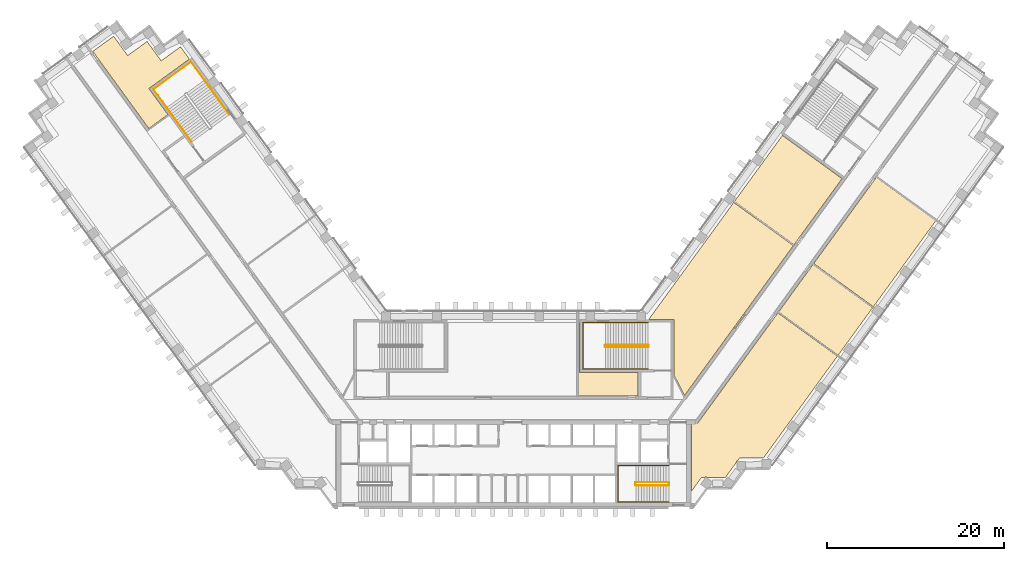
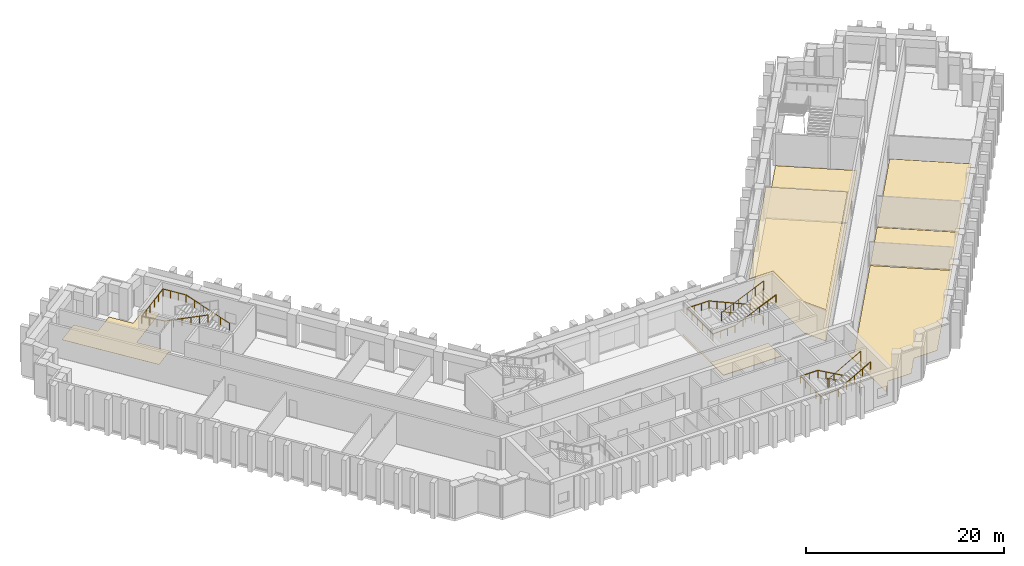
# One storey, part 13 of 14: 8 coverings, 5 railings.
"""IFC4 building model written with IfcOpenShell, lengths in metres."""

from ifc_helpers import new_model, si_unit, direction, frame, origin, origin_2d, place, context, subcontext, project, spatial, polyline, circle, outline, extrude, material, layer, layer_set, type_object, element, save


model = new_model("IFC4")

# Units and contexts
model_context = context("Model", 3, precision=1e-05, world=origin(), true_north=direction((0.0, 1.0)))
body_context = subcontext(model_context, "Body", "Model", "MODEL_VIEW")
ifc_project = project(units=[si_unit("LENGTHUNIT", "METRE"), si_unit("AREAUNIT", "SQUARE_METRE"), si_unit("VOLUMEUNIT", "CUBIC_METRE"), si_unit("PLANEANGLEUNIT", "RADIAN"), si_unit("MASSUNIT", "GRAM", prefix="KILO")], contexts=[model_context])

# Site, building, storey
site_placement = place(None, origin())
site = spatial("IfcSite", under=ifc_project, at=site_placement, CompositionType="ELEMENT")
building_placement = place(site_placement, origin())
building = spatial("IfcBuilding", under=site, at=building_placement, Name="Quipu Civic Tower", CompositionType="ELEMENT")
storey_placement = place(building_placement, frame((0.0, 0.0, 20.5)))
storey = spatial("IfcBuildingStorey", under=building, at=storey_placement, Name="L04", CompositionType="ELEMENT", Elevation=20.5)

# Coverings
ifc_material_1 = material(Name="Mineral fibre acoustic ceiling tile")
ifc_layer_1 = layer(ifc_material_1, 0.0400390625)
ifc_layer_set_1 = layer_set([ifc_layer_1], Name="Mineral fibre acoustic ceiling tile")
covering_type_1 = type_object("IfcCoveringType", Name="Acoustic ceiling tile 600 x 600", PredefinedType="CEILING", material=ifc_layer_set_1)
covering_1_placement = place(storey_placement, frame((0.0, 0.0, 3.860107421875)))
element("IfcCovering", 1, at=covering_1_placement, inside=storey, type_object=covering_type_1, Name="Acoustic ceiling tile 600 x 600", PredefinedType="CEILING", context=body_context, shape_type="SweptSolid", body=[
    extrude(outline(polyline([(15.238037109375, 10.169921875), (24.822021484375, 23.362060546875), (31.544921875, 18.47802734375), (19.27197265625, 1.583984375), (18.070068359375, 3.94189453125), (18.070068359375, 10.1689453125), (15.238037109375, 10.169921875)])), origin(), (0.0, 0.0, 1.0), 0.039794921875),
])
ifc_material_2 = material(Name="Carpet tile on raised access floor")
ifc_layer_2 = layer(ifc_material_2, 0.02001953125)
ifc_layer_set_2 = layer_set([ifc_layer_2], Name="Carpet tile on raised access floor")
covering_type_2 = type_object("IfcCoveringType", Name="Carpet tile floor finish 20", PredefinedType="FLOORING", material=ifc_layer_set_2)
covering_2_placement = place(storey_placement, origin())
element("IfcCovering", 2, at=covering_2_placement, inside=storey, type_object=covering_type_2, Name="Carpet tile floor finish 20", PredefinedType="FLOORING", context=body_context, shape_type="SweptSolid", body=[
    extrude(outline(polyline([(-47.471923828125, 40.39794921875), (-45.116943359375, 42.10791015625), (-43.531982421875, 39.925048828125), (-41.346923828125, 41.510986328125), (-39.760009765625, 39.326904296875), (-37.574951171875, 40.9130859375), (-36.570068359375, 39.530029296875), (-41.139892578125, 36.208984375), (-38.998046875, 33.260009765625), (-41.15087890625, 31.697021484375), (-47.471923828125, 40.39794921875)])), origin(), (0.0, 0.0, 1.0), 0.02001953125),
])
covering_3_placement = place(storey_placement, origin())
element("IfcCovering", 3, at=covering_3_placement, inside=storey, type_object=covering_type_2, Name="Carpet tile floor finish 20", PredefinedType="FLOORING", context=body_context, shape_type="SweptSolid", body=[
    extrude(outline(polyline([(20.070068359375, -9.195068359375), (20.070068359375, -1.52001953125), (20.77490234375, -1.51904296875), (29.7958984375, 10.89794921875), (36.52001953125, 6.013916015625), (28.181884765625, -5.4609375), (25.48193359375, -5.4619140625), (25.24609375, -5.787109375), (25.174072265625, -5.787109375), (25.1689453125, -5.787109375), (25.1650390625, -5.7880859375), (25.159912109375, -5.7890625), (25.155029296875, -5.791015625), (25.15087890625, -5.79296875), (25.14697265625, -5.794921875), (25.14306640625, -5.798095703125), (25.138916015625, -5.802001953125), (25.135986328125, -5.804931640625), (25.133056640625, -5.80908203125), (25.1298828125, -5.81298828125), (25.1279296875, -5.818115234375), (25.126953125, -5.822021484375), (25.125, -5.826904296875), (25.125, -5.83203125), (25.1240234375, -5.8369140625), (25.1240234375, -5.955078125), (23.89501953125, -7.64599609375), (21.806884765625, -7.64599609375), (21.7109375, -7.575927734375), (21.7060546875, -7.572998046875), (21.701904296875, -7.571044921875), (21.697998046875, -7.569091796875), (21.693115234375, -7.568115234375), (21.68798828125, -7.56689453125), (21.68310546875, -7.56689453125), (21.677978515625, -7.56689453125), (21.673095703125, -7.56689453125), (21.6689453125, -7.568115234375), (21.6640625, -7.570068359375), (21.658935546875, -7.572021484375), (21.655029296875, -7.573974609375), (21.65087890625, -7.576904296875), (21.64697265625, -7.580078125), (21.64404296875, -7.5830078125), (21.64111328125, -7.5869140625), (21.597900390625, -7.64599609375), (21.196044921875, -7.64599609375), (20.070068359375, -9.195068359375)])), origin(), (0.0, 0.0, 1.0), 0.02001953125),
])
covering_4_placement = place(storey_placement, origin())
element("IfcCovering", 4, at=covering_4_placement, inside=storey, type_object=covering_type_2, Name="Carpet tile floor finish 20", PredefinedType="FLOORING", context=body_context, shape_type="SweptSolid", body=[
    extrude(outline(polyline([(24.905029296875, 23.47509765625), (30.31494140625, 30.922119140625), (37.0380859375, 26.0380859375), (31.6279296875, 18.591064453125), (24.905029296875, 23.47509765625)])), origin(), (0.0, 0.0, 1.0), 0.02001953125),
])
covering_5_placement = place(storey_placement, origin())
element("IfcCovering", 5, at=covering_5_placement, inside=storey, type_object=covering_type_2, Name="Carpet tile floor finish 20", PredefinedType="FLOORING", context=body_context, shape_type="SweptSolid", body=[
    extrude(outline(polyline([(33.846923828125, 16.471923828125), (40.905029296875, 26.18798828125), (47.62890625, 21.304931640625), (40.570068359375, 11.587890625), (33.846923828125, 16.471923828125)])), origin(), (0.0, 0.0, 1.0), 0.02001953125),
])
covering_6_placement = place(storey_placement, origin())
element("IfcCovering", 6, at=covering_6_placement, inside=storey, type_object=covering_type_2, Name="Carpet tile floor finish 20", PredefinedType="FLOORING", context=body_context, shape_type="SweptSolid", body=[
    extrude(outline(polyline([(15.238037109375, 10.169921875), (24.822021484375, 23.362060546875), (31.544921875, 18.47802734375), (19.27197265625, 1.583984375), (18.070068359375, 3.94189453125), (18.070068359375, 10.1689453125), (15.238037109375, 10.169921875)])), origin(), (0.0, 0.0, 1.0), 0.02001953125),
])
ifc_material_3 = material(Name="Ceramic floor tile")
ifc_layer_3 = layer(ifc_material_3, 0.030029296875)
ifc_layer_set_3 = layer_set([ifc_layer_3], Name="Ceramic floor tile")
covering_type_3 = type_object("IfcCoveringType", Name="Ceramic tile floor finish 30", PredefinedType="FLOORING", material=ifc_layer_set_3)
covering_7_placement = place(storey_placement, origin())
element("IfcCovering", 7, at=covering_7_placement, inside=storey, type_object=covering_type_3, Name="Ceramic tile floor finish 30", PredefinedType="FLOORING", context=body_context, shape_type="SweptSolid", body=[
    extrude(outline(polyline([(29.87890625, 11.010986328125), (33.763916015625, 16.35888671875), (40.487060546875, 11.47509765625), (36.60302734375, 6.126953125), (29.87890625, 11.010986328125)])), origin(), (0.0, 0.0, 1.0), 0.030029296875),
])
ifc_material_4 = material(Name="Sealed cement screed")
ifc_layer_4 = layer(ifc_material_4, 0.050048828125)
ifc_layer_set_4 = layer_set([ifc_layer_4], Name="Sealed cement screed")
covering_type_4 = type_object("IfcCoveringType", Name="Sealed screed floor finish 50", PredefinedType="FLOORING", material=ifc_layer_set_4)
covering_8_placement = place(storey_placement, origin())
element("IfcCovering", 8, at=covering_8_placement, inside=storey, type_object=covering_type_4, Name="Sealed screed floor finish 50", PredefinedType="FLOORING", context=body_context, shape_type="SweptSolid", body=[
    extrude(outline(polyline([(7.26806640625, 1.52001953125), (7.26806640625, 9.830078125), (7.429931640625, 9.830078125), (7.429931640625, 4.180908203125), (14.030029296875, 4.179931640625), (14.030029296875, 1.52001953125), (7.26806640625, 1.52001953125)])), origin(), (0.0, 0.0, 1.0), 0.050048828125),
])

# Railings
ifc_material_5 = material(Name="Stainless steel", Category="steel")
railing_type_1 = type_object("IfcRailingType", Name="Stair guard 1100", PredefinedType="GUARDRAIL", material=ifc_material_5)
railing_1_placement = place(storey_placement, frame((17.5, -8.199951171875, 0.173095703125)))
element("IfcRailing", 9, at=railing_1_placement, inside=storey, type_object=railing_type_1, Name="Stair 2 guard", PredefinedType="GUARDRAIL", context=body_context, shape_type="SweptSolid", body=[
    extrude(circle(Radius=0.02392578125, at=origin_2d()), frame((0.0, 0.0, 1.076171875), z_axis=(-0.873133609054, 0.0, 0.487480974747), x_axis=(0.0, -1.0, 0.0)), (0.0, 0.0, 1.0), 4.260498046875),
    extrude(circle(Radius=0.02392578125, at=origin_2d()), frame((-3.719970703125, 0.0, 3.15283203125), z_axis=(-0.707106781187, -0.707106781187, 0.0), x_axis=(0.707106781187, -0.707106781187, 0.0)), (0.0, 0.0, 1.0), 0.07080078125),
    extrude(circle(Radius=0.02392578125, at=origin_2d()), frame((-3.77001953125, -0.050048828125, 3.15283203125), z_axis=(0.0, -1.0, 0.0), x_axis=(1.0, 0.0, 0.0)), (0.0, 0.0, 1.0), 0.25),
    extrude(circle(Radius=0.02392578125, at=origin_2d()), frame((-3.77001953125, -0.300048828125, 3.15283203125), z_axis=(0.267629722418, -0.267629722418, 0.925607186314), x_axis=(0.707106781187, 0.707106781187, 0.0)), (0.0, 0.0, 1.0), 0.18701171875),
    extrude(circle(Radius=0.02392578125, at=origin_2d()), frame((-3.719970703125, -0.35009765625, 3.326171875), z_axis=(0.873133609054, 0.0, 0.487480974747), x_axis=(0.0, 1.0, 0.0)), (0.0, 0.0, 1.0), 4.260498046875),
    extrude(circle(Radius=0.02392578125, at=origin_2d()), frame((0.0, -0.35009765625, 5.40283203125), z_axis=(0.011096637166, 0.066525693058, -0.997723006053), x_axis=(-0.986372223864, 0.164529134168, 0.0)), (0.0, 0.0, 1.0), 4.51025390625),
    extrude(circle(Radius=0.02392578125, at=origin_2d()), frame((0.050048828125, -0.050048828125, 0.90283203125), z_axis=(0.0, -1.0, 0.0), x_axis=(1.0, 0.0, 0.0)), (0.0, 0.0, 1.0), 0.25),
    extrude(circle(Radius=0.02099609375, at=origin_2d()), origin(), (0.0, 0.0, 1.0), 1.052001953125),
    extrude(circle(Radius=0.02099609375, at=origin_2d()), frame((-0.929931640625, 0.0, 0.519287109375)), (0.0, 0.0, 1.0), 1.052001953125),
    extrude(circle(Radius=0.02099609375, at=origin_2d()), frame((-1.85986328125, 0.0, 1.03857421875)), (0.0, 0.0, 1.0), 1.052001953125),
    extrude(circle(Radius=0.02099609375, at=origin_2d()), frame((-2.7900390625, 0.0, 1.5576171875)), (0.0, 0.0, 1.0), 1.052001953125),
    extrude(circle(Radius=0.02099609375, at=origin_2d()), frame((-3.719970703125, 0.0, 2.076904296875)), (0.0, 0.0, 1.0), 1.052001953125),
    extrude(circle(Radius=0.02099609375, at=origin_2d()), frame((-3.77001953125, -0.050048828125, 2.076904296875)), (0.0, 0.0, 1.0), 1.052001953125),
    extrude(circle(Radius=0.02099609375, at=origin_2d()), frame((-3.77001953125, -0.300048828125, 2.076904296875)), (0.0, 0.0, 1.0), 1.052001953125),
    extrude(circle(Radius=0.02099609375, at=origin_2d()), frame((-3.719970703125, -0.35009765625, 2.25)), (0.0, 0.0, 1.0), 1.052001953125),
    extrude(circle(Radius=0.02099609375, at=origin_2d()), frame((-2.7900390625, -0.35009765625, 2.769287109375)), (0.0, 0.0, 1.0), 1.052001953125),
    extrude(circle(Radius=0.02099609375, at=origin_2d()), frame((-1.85986328125, -0.35009765625, 3.28857421875)), (0.0, 0.0, 1.0), 1.052001953125),
    extrude(circle(Radius=0.02099609375, at=origin_2d()), frame((-0.929931640625, -0.35009765625, 3.8076171875)), (0.0, 0.0, 1.0), 1.052001953125),
    extrude(circle(Radius=0.02099609375, at=origin_2d()), frame((0.0, -0.35009765625, 4.326904296875)), (0.0, 0.0, 1.0), 1.052001953125),
    extrude(circle(Radius=0.02099609375, at=origin_2d()), frame((0.012451171875, -0.275146484375, 3.201904296875)), (0.0, 0.0, 1.0), 1.052001953125),
    extrude(circle(Radius=0.02099609375, at=origin_2d()), frame((0.02490234375, -0.2001953125, 2.076904296875)), (0.0, 0.0, 1.0), 1.052001953125),
    extrude(circle(Radius=0.02099609375, at=origin_2d()), frame((0.03759765625, -0.125, 0.951904296875)), (0.0, 0.0, 1.0), 1.052001953125),
    extrude(circle(Radius=0.02099609375, at=origin_2d()), frame((0.050048828125, -0.050048828125, -0.173095703125)), (0.0, 0.0, 1.0), 1.052001953125),
    extrude(circle(Radius=0.02099609375, at=origin_2d()), frame((0.050048828125, -0.300048828125, -0.173095703125)), (0.0, 0.0, 1.0), 1.052001953125),
])
railing_2_placement = place(storey_placement, frame((15.14990234375, 7.300048828125, 0.13232421875)))
element("IfcRailing", 10, at=railing_2_placement, inside=storey, type_object=railing_type_1, Name="Stair 4 guard", PredefinedType="GUARDRAIL", context=body_context, shape_type="SweptSolid", body=[
    extrude(circle(Radius=0.02392578125, at=origin_2d()), frame((0.0, 0.0, 1.076171875), z_axis=(-0.914909713927, 0.0, 0.403658538077), x_axis=(0.0, -1.0, 0.0)), (0.0, 0.0, 1.0), 5.24609375),
    extrude(circle(Radius=0.02392578125, at=origin_2d()), frame((-4.7998046875, 0.0, 3.19384765625), z_axis=(-0.707106781187, -0.707106781187, 0.0), x_axis=(0.707106781187, -0.707106781187, 0.0)), (0.0, 0.0, 1.0), 0.07080078125),
    extrude(circle(Radius=0.02392578125, at=origin_2d()), frame((-4.849853515625, -0.050048828125, 3.19384765625), z_axis=(0.0, -1.0, 0.0), x_axis=(1.0, 0.0, 0.0)), (0.0, 0.0, 1.0), 0.14990234375),
    extrude(circle(Radius=0.02392578125, at=origin_2d()), frame((-4.849853515625, -0.199951171875, 3.19384765625), z_axis=(0.333514590198, -0.333514590198, 0.881780038474), x_axis=(0.707106781187, 0.707106781187, 0.0)), (0.0, 0.0, 1.0), 0.150146484375),
    extrude(circle(Radius=0.02392578125, at=origin_2d()), frame((-4.7998046875, -0.25, 3.326171875), z_axis=(0.914909713927, 0.0, 0.403658538077), x_axis=(0.0, 1.0, 0.0)), (0.0, 0.0, 1.0), 5.24609375),
    extrude(circle(Radius=0.02392578125, at=origin_2d()), frame((0.0, -0.25, 5.44384765625), z_axis=(0.011110312959, 0.044387055188, -0.998952626643), x_axis=(-0.970072785993, 0.242814311512, 0.0)), (0.0, 0.0, 1.0), 4.504638671875),
    extrude(circle(Radius=0.02392578125, at=origin_2d()), frame((0.050048828125, -0.050048828125, 0.94384765625), z_axis=(0.0, -1.0, 0.0), x_axis=(1.0, 0.0, 0.0)), (0.0, 0.0, 1.0), 0.14990234375),
    extrude(circle(Radius=0.02099609375, at=origin_2d()), origin(), (0.0, 0.0, 1.0), 1.052001953125),
    extrude(circle(Radius=0.02099609375, at=origin_2d()), frame((-0.9599609375, 0.0, 0.423583984375)), (0.0, 0.0, 1.0), 1.052001953125),
    extrude(circle(Radius=0.02099609375, at=origin_2d()), frame((-1.919921875, 0.0, 0.84716796875)), (0.0, 0.0, 1.0), 1.052001953125),
    extrude(circle(Radius=0.02099609375, at=origin_2d()), frame((-2.8798828125, 0.0, 1.2705078125)), (0.0, 0.0, 1.0), 1.052001953125),
    extrude(circle(Radius=0.02099609375, at=origin_2d()), frame((-3.83984375, 0.0, 1.694091796875)), (0.0, 0.0, 1.0), 1.052001953125),
    extrude(circle(Radius=0.02099609375, at=origin_2d()), frame((-4.7998046875, 0.0, 2.11767578125)), (0.0, 0.0, 1.0), 1.052001953125),
    extrude(circle(Radius=0.02099609375, at=origin_2d()), frame((-4.849853515625, -0.050048828125, 2.11767578125)), (0.0, 0.0, 1.0), 1.052001953125),
    extrude(circle(Radius=0.02099609375, at=origin_2d()), frame((-4.849853515625, -0.199951171875, 2.11767578125)), (0.0, 0.0, 1.0), 1.052001953125),
    extrude(circle(Radius=0.02099609375, at=origin_2d()), frame((-4.7998046875, -0.25, 2.25)), (0.0, 0.0, 1.0), 1.052001953125),
    extrude(circle(Radius=0.02099609375, at=origin_2d()), frame((-3.83984375, -0.25, 2.673583984375)), (0.0, 0.0, 1.0), 1.052001953125),
    extrude(circle(Radius=0.02099609375, at=origin_2d()), frame((-2.8798828125, -0.25, 3.09716796875)), (0.0, 0.0, 1.0), 1.052001953125),
    extrude(circle(Radius=0.02099609375, at=origin_2d()), frame((-1.919921875, -0.25, 3.5205078125)), (0.0, 0.0, 1.0), 1.052001953125),
    extrude(circle(Radius=0.02099609375, at=origin_2d()), frame((-0.9599609375, -0.25, 3.944091796875)), (0.0, 0.0, 1.0), 1.052001953125),
    extrude(circle(Radius=0.02099609375, at=origin_2d()), frame((0.0, -0.25, 4.36767578125)), (0.0, 0.0, 1.0), 1.052001953125),
    extrude(circle(Radius=0.02099609375, at=origin_2d()), frame((0.012451171875, -0.199951171875, 3.24267578125)), (0.0, 0.0, 1.0), 1.052001953125),
    extrude(circle(Radius=0.02099609375, at=origin_2d()), frame((0.02490234375, -0.14990234375, 2.11767578125)), (0.0, 0.0, 1.0), 1.052001953125),
    extrude(circle(Radius=0.02099609375, at=origin_2d()), frame((0.03759765625, -0.10009765625, 0.99267578125)), (0.0, 0.0, 1.0), 1.052001953125),
    extrude(circle(Radius=0.02099609375, at=origin_2d()), frame((0.050048828125, -0.050048828125, -0.13232421875)), (0.0, 0.0, 1.0), 1.052001953125),
    extrude(circle(Radius=0.02099609375, at=origin_2d()), frame((0.050048828125, -0.199951171875, -0.13232421875)), (0.0, 0.0, 1.0), 1.052001953125),
])
ifc_material_6 = material(Name="Stainless steel", Category="steel")
railing_type_2 = type_object("IfcRailingType", Name="Stair handrail", PredefinedType="HANDRAIL", material=ifc_material_6)
railing_3_placement = place(storey_placement, frame((17.5, -6.300048828125, 0.173095703125)))
element("IfcRailing", 11, at=railing_3_placement, inside=storey, type_object=railing_type_2, Name="Stair 2 handrail", PredefinedType="HANDRAIL", context=body_context, shape_type="SweptSolid", body=[
    extrude(circle(Radius=0.02392578125, at=origin_2d()), frame((0.0, 0.0, 0.8759765625), z_axis=(-0.873133609054, 0.0, 0.487480974747), x_axis=(0.0, -1.0, 0.0)), (0.0, 0.0, 1.0), 4.260498046875),
    extrude(circle(Radius=0.02392578125, at=origin_2d()), frame((-3.719970703125, 0.0, 2.95263671875), z_axis=(-1.0, 0.0, 0.0), x_axis=(0.0, -1.0, 0.0)), (0.0, 0.0, 1.0), 2.030029296875),
    extrude(circle(Radius=0.02392578125, at=origin_2d()), frame((-5.75, 0.0, 2.95263671875), z_axis=(0.0, -1.0, 0.0), x_axis=(1.0, 0.0, 0.0)), (0.0, 0.0, 1.0), 4.14990234375),
    extrude(circle(Radius=0.02392578125, at=origin_2d()), frame((-5.75, -4.14990234375, 2.95263671875), z_axis=(0.996384422715, 0.0, 0.084959297138), x_axis=(0.0, 1.0, 0.0)), (0.0, 0.0, 1.0), 2.037353515625),
    extrude(circle(Radius=0.02392578125, at=origin_2d()), frame((-3.719970703125, -4.14990234375, 3.1259765625), z_axis=(0.873133609054, 0.0, 0.487480974747), x_axis=(0.0, 1.0, 0.0)), (0.0, 0.0, 1.0), 4.260498046875),
    extrude(circle(Radius=0.02099609375, at=origin_2d()), origin(), (0.0, 0.0, 1.0), 0.851806640625),
    extrude(circle(Radius=0.02099609375, at=origin_2d()), frame((-0.929931640625, 0.0, 0.519287109375)), (0.0, 0.0, 1.0), 0.851806640625),
    extrude(circle(Radius=0.02099609375, at=origin_2d()), frame((-1.85986328125, 0.0, 1.03857421875)), (0.0, 0.0, 1.0), 0.851806640625),
    extrude(circle(Radius=0.02099609375, at=origin_2d()), frame((-2.7900390625, 0.0, 1.5576171875)), (0.0, 0.0, 1.0), 0.851806640625),
    extrude(circle(Radius=0.02099609375, at=origin_2d()), frame((-3.719970703125, 0.0, 2.076904296875)), (0.0, 0.0, 1.0), 0.851806640625),
    extrude(circle(Radius=0.02099609375, at=origin_2d()), frame((-4.73486328125, 0.0, 2.076904296875)), (0.0, 0.0, 1.0), 0.851806640625),
    extrude(circle(Radius=0.02099609375, at=origin_2d()), frame((-5.75, 0.0, 2.076904296875)), (0.0, 0.0, 1.0), 0.851806640625),
    extrude(circle(Radius=0.02099609375, at=origin_2d()), frame((-5.75, -1.03759765625, 2.076904296875)), (0.0, 0.0, 1.0), 0.851806640625),
    extrude(circle(Radius=0.02099609375, at=origin_2d()), frame((-5.75, -2.074951171875, 2.076904296875)), (0.0, 0.0, 1.0), 0.851806640625),
    extrude(circle(Radius=0.02099609375, at=origin_2d()), frame((-5.75, -3.1123046875, 2.076904296875)), (0.0, 0.0, 1.0), 0.851806640625),
    extrude(circle(Radius=0.02099609375, at=origin_2d()), frame((-5.75, -4.14990234375, 2.076904296875)), (0.0, 0.0, 1.0), 0.851806640625),
    extrude(circle(Radius=0.02099609375, at=origin_2d()), frame((-4.73486328125, -4.14990234375, 2.16357421875)), (0.0, 0.0, 1.0), 0.851806640625),
    extrude(circle(Radius=0.02099609375, at=origin_2d()), frame((-3.719970703125, -4.14990234375, 2.25)), (0.0, 0.0, 1.0), 0.851806640625),
    extrude(circle(Radius=0.02099609375, at=origin_2d()), frame((-2.7900390625, -4.14990234375, 2.769287109375)), (0.0, 0.0, 1.0), 0.851806640625),
    extrude(circle(Radius=0.02099609375, at=origin_2d()), frame((-1.85986328125, -4.14990234375, 3.28857421875)), (0.0, 0.0, 1.0), 0.851806640625),
    extrude(circle(Radius=0.02099609375, at=origin_2d()), frame((-0.929931640625, -4.14990234375, 3.8076171875)), (0.0, 0.0, 1.0), 0.851806640625),
    extrude(circle(Radius=0.02099609375, at=origin_2d()), frame((0.0, -4.14990234375, 4.326904296875)), (0.0, 0.0, 1.0), 0.851806640625),
])
railing_4_placement = place(storey_placement, frame((15.14990234375, 9.800048828125, 0.13232421875)))
element("IfcRailing", 12, at=railing_4_placement, inside=storey, type_object=railing_type_2, Name="Stair 4 handrail", PredefinedType="HANDRAIL", context=body_context, shape_type="SweptSolid", body=[
    extrude(circle(Radius=0.02392578125, at=origin_2d()), frame((0.0, 0.0, 0.8759765625), z_axis=(-0.914909713927, 0.0, 0.403658538077), x_axis=(0.0, -1.0, 0.0)), (0.0, 0.0, 1.0), 5.24609375),
    extrude(circle(Radius=0.02392578125, at=origin_2d()), frame((-4.7998046875, 0.0, 2.99365234375), z_axis=(-1.0, 0.0, 0.0), x_axis=(0.0, -1.0, 0.0)), (0.0, 0.0, 1.0), 2.550048828125),
    extrude(circle(Radius=0.02392578125, at=origin_2d()), frame((-7.349853515625, 0.0, 2.99365234375), z_axis=(0.0, -1.0, 0.0), x_axis=(1.0, 0.0, 0.0)), (0.0, 0.0, 1.0), 5.25),
    extrude(circle(Radius=0.02392578125, at=origin_2d()), frame((-7.349853515625, -5.25, 2.99365234375), z_axis=(0.998656382309, 0.0, 0.051821135396), x_axis=(0.0, 1.0, 0.0)), (0.0, 0.0, 1.0), 2.553466796875),
    extrude(circle(Radius=0.02392578125, at=origin_2d()), frame((-4.7998046875, -5.25, 3.1259765625), z_axis=(0.914909713927, 0.0, 0.403658538077), x_axis=(0.0, 1.0, 0.0)), (0.0, 0.0, 1.0), 5.24609375),
    extrude(circle(Radius=0.02099609375, at=origin_2d()), origin(), (0.0, 0.0, 1.0), 0.851806640625),
    extrude(circle(Radius=0.02099609375, at=origin_2d()), frame((-0.9599609375, 0.0, 0.423583984375)), (0.0, 0.0, 1.0), 0.851806640625),
    extrude(circle(Radius=0.02099609375, at=origin_2d()), frame((-1.919921875, 0.0, 0.84716796875)), (0.0, 0.0, 1.0), 0.851806640625),
    extrude(circle(Radius=0.02099609375, at=origin_2d()), frame((-2.8798828125, 0.0, 1.2705078125)), (0.0, 0.0, 1.0), 0.851806640625),
    extrude(circle(Radius=0.02099609375, at=origin_2d()), frame((-3.83984375, 0.0, 1.694091796875)), (0.0, 0.0, 1.0), 0.851806640625),
    extrude(circle(Radius=0.02099609375, at=origin_2d()), frame((-4.7998046875, 0.0, 2.11767578125)), (0.0, 0.0, 1.0), 0.851806640625),
    extrude(circle(Radius=0.02099609375, at=origin_2d()), frame((-5.64990234375, 0.0, 2.11767578125)), (0.0, 0.0, 1.0), 0.851806640625),
    extrude(circle(Radius=0.02099609375, at=origin_2d()), frame((-6.499755859375, 0.0, 2.11767578125)), (0.0, 0.0, 1.0), 0.851806640625),
    extrude(circle(Radius=0.02099609375, at=origin_2d()), frame((-7.349853515625, 0.0, 2.11767578125)), (0.0, 0.0, 1.0), 0.851806640625),
    extrude(circle(Radius=0.02099609375, at=origin_2d()), frame((-7.349853515625, -1.050048828125, 2.11767578125)), (0.0, 0.0, 1.0), 0.851806640625),
    extrude(circle(Radius=0.02099609375, at=origin_2d()), frame((-7.349853515625, -2.10009765625, 2.11767578125)), (0.0, 0.0, 1.0), 0.851806640625),
    extrude(circle(Radius=0.02099609375, at=origin_2d()), frame((-7.349853515625, -3.14990234375, 2.11767578125)), (0.0, 0.0, 1.0), 0.851806640625),
    extrude(circle(Radius=0.02099609375, at=origin_2d()), frame((-7.349853515625, -4.199951171875, 2.11767578125)), (0.0, 0.0, 1.0), 0.851806640625),
    extrude(circle(Radius=0.02099609375, at=origin_2d()), frame((-7.349853515625, -5.25, 2.11767578125)), (0.0, 0.0, 1.0), 0.851806640625),
    extrude(circle(Radius=0.02099609375, at=origin_2d()), frame((-6.499755859375, -5.25, 2.161865234375)), (0.0, 0.0, 1.0), 0.851806640625),
    extrude(circle(Radius=0.02099609375, at=origin_2d()), frame((-5.64990234375, -5.25, 2.205810546875)), (0.0, 0.0, 1.0), 0.851806640625),
    extrude(circle(Radius=0.02099609375, at=origin_2d()), frame((-4.7998046875, -5.25, 2.25)), (0.0, 0.0, 1.0), 0.851806640625),
    extrude(circle(Radius=0.02099609375, at=origin_2d()), frame((-3.83984375, -5.25, 2.673583984375)), (0.0, 0.0, 1.0), 0.851806640625),
    extrude(circle(Radius=0.02099609375, at=origin_2d()), frame((-2.8798828125, -5.25, 3.09716796875)), (0.0, 0.0, 1.0), 0.851806640625),
    extrude(circle(Radius=0.02099609375, at=origin_2d()), frame((-1.919921875, -5.25, 3.5205078125)), (0.0, 0.0, 1.0), 0.851806640625),
    extrude(circle(Radius=0.02099609375, at=origin_2d()), frame((-0.9599609375, -5.25, 3.944091796875)), (0.0, 0.0, 1.0), 0.851806640625),
    extrude(circle(Radius=0.02099609375, at=origin_2d()), frame((0.0, -5.25, 4.36767578125)), (0.0, 0.0, 1.0), 0.851806640625),
])
railing_5_placement = place(storey_placement, frame((-32.056396484375, 33.266845703125, 0.13232421875)))
element("IfcRailing", 13, at=railing_5_placement, inside=storey, type_object=railing_type_2, Name="Stair 6 handrail", PredefinedType="HANDRAIL", context=body_context, shape_type="SweptSolid", body=[
    extrude(circle(Radius=0.02392578125, at=origin_2d()), frame((0.0, 0.0, 0.8759765625), z_axis=(-0.537761686143, 0.740190150552, 0.403647011561), x_axis=(-0.809026317077, -0.587772420479, 0.0)), (0.0, 0.0, 1.0), 5.246337890625),
    extrude(circle(Radius=0.02392578125, at=origin_2d()), frame((-2.8212890625, 3.88330078125, 2.99365234375), z_axis=(-0.587767432704, 0.809029940764, 0.0), x_axis=(-0.809029940764, -0.587767432704, 0.0)), (0.0, 0.0, 1.0), 2.550048828125),
    extrude(circle(Radius=0.02392578125, at=origin_2d()), frame((-4.320068359375, 5.9462890625, 2.99365234375), z_axis=(-0.809009483706, -0.587795589702, 0.0), x_axis=(0.587795589702, -0.809009483706, 0.0)), (0.0, 0.0, 1.0), 5.25),
    extrude(circle(Radius=0.02392578125, at=origin_2d()), frame((-8.5673828125, 2.8603515625, 2.99365234375), z_axis=(0.586977638712, -0.807942832239, 0.051823078707), x_axis=(0.809029940764, 0.587767432704, 0.0)), (0.0, 0.0, 1.0), 2.553466796875),
    extrude(circle(Radius=0.02392578125, at=origin_2d()), frame((-7.068603515625, 0.79736328125, 3.1259765625), z_axis=(0.537761686143, -0.740190150552, 0.403647011561), x_axis=(0.809026317077, 0.587772420479, 0.0)), (0.0, 0.0, 1.0), 5.246337890625),
    extrude(circle(Radius=0.02099609375, at=origin_2d()), origin(), (0.0, 0.0, 1.0), 0.851806640625),
    extrude(circle(Radius=0.02099609375, at=origin_2d()), frame((-0.564208984375, 0.776611328125, 0.423583984375)), (0.0, 0.0, 1.0), 0.851806640625),
    extrude(circle(Radius=0.02099609375, at=origin_2d()), frame((-1.12841796875, 1.55322265625, 0.84716796875)), (0.0, 0.0, 1.0), 0.851806640625),
    extrude(circle(Radius=0.02099609375, at=origin_2d()), frame((-1.69287109375, 2.330078125, 1.2705078125)), (0.0, 0.0, 1.0), 0.851806640625),
    extrude(circle(Radius=0.02099609375, at=origin_2d()), frame((-2.257080078125, 3.106689453125, 1.694091796875)), (0.0, 0.0, 1.0), 0.851806640625),
    extrude(circle(Radius=0.02099609375, at=origin_2d()), frame((-2.8212890625, 3.88330078125, 2.11767578125)), (0.0, 0.0, 1.0), 0.851806640625),
    extrude(circle(Radius=0.02099609375, at=origin_2d()), frame((-3.32080078125, 4.571044921875, 2.11767578125)), (0.0, 0.0, 1.0), 0.851806640625),
    extrude(circle(Radius=0.02099609375, at=origin_2d()), frame((-3.820556640625, 5.258544921875, 2.11767578125)), (0.0, 0.0, 1.0), 0.851806640625),
    extrude(circle(Radius=0.02099609375, at=origin_2d()), frame((-4.320068359375, 5.9462890625, 2.11767578125)), (0.0, 0.0, 1.0), 0.851806640625),
    extrude(circle(Radius=0.02099609375, at=origin_2d()), frame((-5.16943359375, 5.3291015625, 2.11767578125)), (0.0, 0.0, 1.0), 0.851806640625),
    extrude(circle(Radius=0.02099609375, at=origin_2d()), frame((-6.01904296875, 4.7119140625, 2.11767578125)), (0.0, 0.0, 1.0), 0.851806640625),
    extrude(circle(Radius=0.02099609375, at=origin_2d()), frame((-6.868408203125, 4.0947265625, 2.11767578125)), (0.0, 0.0, 1.0), 0.851806640625),
    extrude(circle(Radius=0.02099609375, at=origin_2d()), frame((-7.718017578125, 3.4775390625, 2.11767578125)), (0.0, 0.0, 1.0), 0.851806640625),
    extrude(circle(Radius=0.02099609375, at=origin_2d()), frame((-8.5673828125, 2.8603515625, 2.11767578125)), (0.0, 0.0, 1.0), 0.851806640625),
    extrude(circle(Radius=0.02099609375, at=origin_2d()), frame((-8.06787109375, 2.172607421875, 2.161865234375)), (0.0, 0.0, 1.0), 0.851806640625),
    extrude(circle(Radius=0.02099609375, at=origin_2d()), frame((-7.568115234375, 1.485107421875, 2.205810546875)), (0.0, 0.0, 1.0), 0.851806640625),
    extrude(circle(Radius=0.02099609375, at=origin_2d()), frame((-7.068603515625, 0.79736328125, 2.25)), (0.0, 0.0, 1.0), 0.851806640625),
    extrude(circle(Radius=0.02099609375, at=origin_2d()), frame((-6.50439453125, 0.020751953125, 2.673583984375)), (0.0, 0.0, 1.0), 0.851806640625),
    extrude(circle(Radius=0.02099609375, at=origin_2d()), frame((-5.940185546875, -0.755859375, 3.09716796875)), (0.0, 0.0, 1.0), 0.851806640625),
    extrude(circle(Radius=0.02099609375, at=origin_2d()), frame((-5.375732421875, -1.53271484375, 3.5205078125)), (0.0, 0.0, 1.0), 0.851806640625),
    extrude(circle(Radius=0.02099609375, at=origin_2d()), frame((-4.8115234375, -2.309326171875, 3.944091796875)), (0.0, 0.0, 1.0), 0.851806640625),
    extrude(circle(Radius=0.02099609375, at=origin_2d()), frame((-4.247314453125, -3.0859375, 4.36767578125)), (0.0, 0.0, 1.0), 0.851806640625),
])

save(model, "model.ifc")
